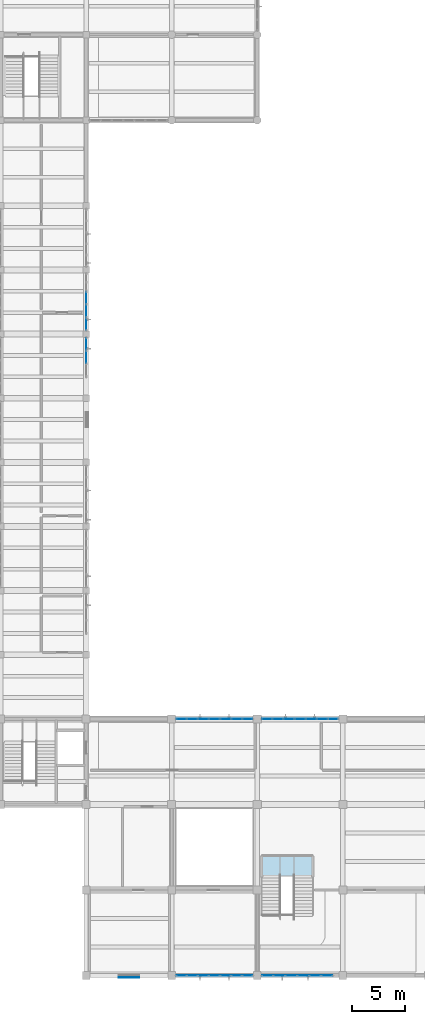
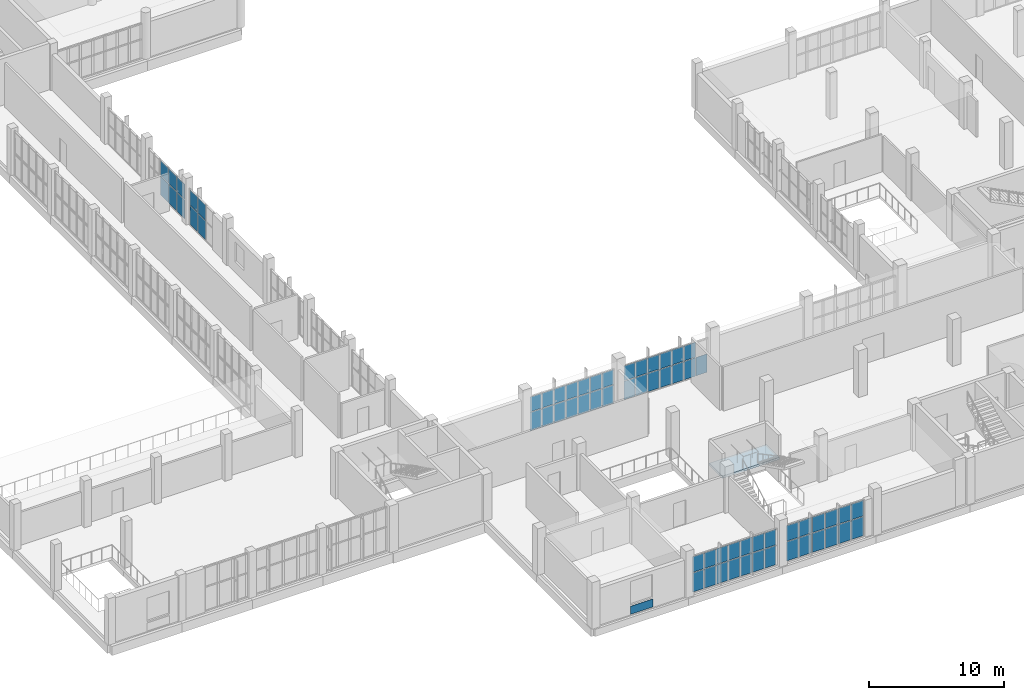
# One storey, part 49 of 85: 64 plates, 1 slab, 7 elements without a shape of their own.
"""IFC4 building model written with IfcOpenShell, lengths in metres."""

from ifc_helpers import new_model, si_unit, direction, frame, origin, origin_2d, place, context, subcontext, project, spatial, polyline, rectangle, outline, extrude, material, layer, layer_set, type_object, element, aggregate, save


model = new_model("IFC4")

# Units and contexts
model_context = context("Model", 3, precision=1e-05, world=origin(), true_north=direction((0.0, 1.0)))
body_context = subcontext(model_context, "Body", "Model", "MODEL_VIEW")
ifc_project = project(units=[si_unit("LENGTHUNIT", "METRE"), si_unit("AREAUNIT", "SQUARE_METRE"), si_unit("VOLUMEUNIT", "CUBIC_METRE"), si_unit("PLANEANGLEUNIT", "RADIAN"), si_unit("MASSUNIT", "GRAM", prefix="KILO")], contexts=[model_context])

# Site, building, storey
site_placement = place(None, origin())
site = spatial("IfcSite", under=ifc_project, at=site_placement, CompositionType="ELEMENT")
building_placement = place(site_placement, origin())
building = spatial("IfcBuilding", under=site, at=building_placement, Name="Solvane Community Centre", CompositionType="ELEMENT")
storey_placement = place(building_placement, frame((0.0, 0.0, 5.39990234375)))
storey = spatial("IfcBuildingStorey", under=building, at=storey_placement, Name="L01", CompositionType="ELEMENT", Elevation=5.39990234375)

# Plate
ifc_material_1 = material(Name="Anodised bronze aluminium AW-6063 T6", Category="aluminium")
ifc_layer_1 = layer(ifc_material_1, 0.02392578125)
ifc_layer_set_1 = layer_set([ifc_layer_1], Name="Anodised bronze aluminium AW-6063 T6")
plate_type_1 = type_object("IfcPlateType", Name="Bronze Spandrel Cassette 24mm", PredefinedType="SHEET", material=ifc_layer_set_1)
plate_1_placement = place(storey_placement, frame((72.0, 5.81298828125, 0.06005859375), z_axis=(0.0, 0.0, 1.0), x_axis=(-1.0, 0.0, 0.0)))
element("IfcPlate", 1, at=plate_1_placement, inside=storey, type_object=plate_type_1, Name="Art Deco Spandrel SPC-L01-024", PredefinedType="SHEET", context=body_context, shape_type="SweptSolid", body=[
    extrude(rectangle(XDim=1.89990234375, YDim=0.02392578125, at=origin_2d()), origin(), (0.0, 0.0, 1.0), 0.719970703125),
])

# Curtain wall, plates
ifc_layer_2 = layer(ifc_material_1, 0.18994140625)
ifc_layer_set_2 = layer_set([ifc_layer_2], Name="Anodised bronze aluminium AW-6063 T6")
curtain_wall_type_1 = type_object("IfcCurtainWallType", Name="Boulevard Bronze Vision Curtain Wall [37x32dm]", PredefinedType="NOTDEFINED", material=ifc_layer_set_2)
curtain_wall_1_placement = place(storey_placement, origin())
curtain_wall_1 = element("IfcCurtainWall", 2, at=curtain_wall_1_placement, inside=storey, type_object=curtain_wall_type_1, Name="Curtain Wall CW-L01-680_700-105", PredefinedType="NOTDEFINED")
ifc_material_2 = material(Name="Tempered low-E double glazing", Category="glass")
ifc_layer_3 = layer(ifc_material_2, 0.028076171875)
ifc_layer_set_3 = layer_set([ifc_layer_3], Name="Tempered low-E double glazing")
plate_type_2 = type_object("IfcPlateType", Name="Low-E Vision Glazing Panel 28mm [37x32dm]", PredefinedType="CURTAIN_PANEL", material=ifc_layer_set_3)
plate_2_placement = place(storey_placement, frame((68.0, 69.37158203125, 0.06005859375), z_axis=(0.0, 0.0, 1.0), x_axis=(0.0, -1.0, 0.0)))
plate_2 = element("IfcPlate", 3, at=plate_2_placement, type_object=plate_type_2, Name="CW02-37x32 panel 1.1", PredefinedType="CURTAIN_PANEL", context=body_context, shape_type="SweptSolid", body=[
    extrude(rectangle(XDim=1.13671875, YDim=0.028076171875, at=origin_2d()), origin(), (0.0, 0.0, 1.0), 1.695068359375),
])
plate_3_placement = place(storey_placement, frame((68.0, 69.37158203125, 1.81494140625), z_axis=(0.0, 0.0, 1.0), x_axis=(0.0, -1.0, 0.0)))
plate_3 = element("IfcPlate", 4, at=plate_3_placement, type_object=plate_type_2, Name="CW02-37x32 panel 1.2", PredefinedType="CURTAIN_PANEL", context=body_context, shape_type="SweptSolid", body=[
    extrude(rectangle(XDim=1.13671875, YDim=0.028076171875, at=origin_2d()), origin(), (0.0, 0.0, 1.0), 1.3701171875),
])
plate_4_placement = place(storey_placement, frame((68.0, 68.159912109375, 0.06005859375), z_axis=(0.0, 0.0, 1.0), x_axis=(0.0, -1.0, 0.0)))
plate_4 = element("IfcPlate", 5, at=plate_4_placement, type_object=plate_type_2, Name="CW02-37x32 panel 2.1", PredefinedType="CURTAIN_PANEL", context=body_context, shape_type="SweptSolid", body=[
    extrude(rectangle(XDim=1.166748046875, YDim=0.028076171875, at=origin_2d()), origin(), (0.0, 0.0, 1.0), 1.695068359375),
])
plate_5_placement = place(storey_placement, frame((68.0, 68.159912109375, 1.81494140625), z_axis=(0.0, 0.0, 1.0), x_axis=(0.0, -1.0, 0.0)))
plate_5 = element("IfcPlate", 6, at=plate_5_placement, type_object=plate_type_2, Name="CW02-37x32 panel 2.2", PredefinedType="CURTAIN_PANEL", context=body_context, shape_type="SweptSolid", body=[
    extrude(rectangle(XDim=1.166748046875, YDim=0.028076171875, at=origin_2d()), origin(), (0.0, 0.0, 1.0), 1.3701171875),
])
plate_6_placement = place(storey_placement, frame((68.0, 66.9482421875, 0.06005859375), z_axis=(0.0, 0.0, 1.0), x_axis=(0.0, -1.0, 0.0)))
plate_6 = element("IfcPlate", 7, at=plate_6_placement, type_object=plate_type_2, Name="CW02-37x32 panel 3.1", PredefinedType="CURTAIN_PANEL", context=body_context, shape_type="SweptSolid", body=[
    extrude(rectangle(XDim=1.13671875, YDim=0.028076171875, at=origin_2d()), origin(), (0.0, 0.0, 1.0), 1.695068359375),
])
plate_7_placement = place(storey_placement, frame((68.0, 66.9482421875, 1.81494140625), z_axis=(0.0, 0.0, 1.0), x_axis=(0.0, -1.0, 0.0)))
plate_7 = element("IfcPlate", 8, at=plate_7_placement, type_object=plate_type_2, Name="CW02-37x32 panel 3.2", PredefinedType="CURTAIN_PANEL", context=body_context, shape_type="SweptSolid", body=[
    extrude(rectangle(XDim=1.13671875, YDim=0.028076171875, at=origin_2d()), origin(), (0.0, 0.0, 1.0), 1.3701171875),
])
aggregate(curtain_wall_1, [plate_2, plate_3, plate_4, plate_5, plate_6, plate_7])

curtain_wall_2_placement = place(storey_placement, origin())
curtain_wall_2 = element("IfcCurtainWall", 9, at=curtain_wall_2_placement, inside=storey, type_object=curtain_wall_type_1, Name="Curtain Wall CW-L01-680_657-106", PredefinedType="NOTDEFINED")
plate_8_placement = place(storey_placement, frame((68.0, 65.0517578125, 0.06005859375), z_axis=(0.0, 0.0, 1.0), x_axis=(0.0, -1.0, 0.0)))
plate_8 = element("IfcPlate", 10, at=plate_8_placement, type_object=plate_type_2, Name="CW02-37x32 panel 1.1", PredefinedType="CURTAIN_PANEL", context=body_context, shape_type="SweptSolid", body=[
    extrude(rectangle(XDim=1.13671875, YDim=0.028076171875, at=origin_2d()), origin(), (0.0, 0.0, 1.0), 1.695068359375),
])
plate_9_placement = place(storey_placement, frame((68.0, 65.0517578125, 1.81494140625), z_axis=(0.0, 0.0, 1.0), x_axis=(0.0, -1.0, 0.0)))
plate_9 = element("IfcPlate", 11, at=plate_9_placement, type_object=plate_type_2, Name="CW02-37x32 panel 1.2", PredefinedType="CURTAIN_PANEL", context=body_context, shape_type="SweptSolid", body=[
    extrude(rectangle(XDim=1.13671875, YDim=0.028076171875, at=origin_2d()), origin(), (0.0, 0.0, 1.0), 1.3701171875),
])
plate_10_placement = place(storey_placement, frame((68.0, 63.840087890625, 0.06005859375), z_axis=(0.0, 0.0, 1.0), x_axis=(0.0, -1.0, 0.0)))
plate_10 = element("IfcPlate", 12, at=plate_10_placement, type_object=plate_type_2, Name="CW02-37x32 panel 2.1", PredefinedType="CURTAIN_PANEL", context=body_context, shape_type="SweptSolid", body=[
    extrude(rectangle(XDim=1.166748046875, YDim=0.028076171875, at=origin_2d()), origin(), (0.0, 0.0, 1.0), 1.695068359375),
])
plate_11_placement = place(storey_placement, frame((68.0, 63.840087890625, 1.81494140625), z_axis=(0.0, 0.0, 1.0), x_axis=(0.0, -1.0, 0.0)))
plate_11 = element("IfcPlate", 13, at=plate_11_placement, type_object=plate_type_2, Name="CW02-37x32 panel 2.2", PredefinedType="CURTAIN_PANEL", context=body_context, shape_type="SweptSolid", body=[
    extrude(rectangle(XDim=1.166748046875, YDim=0.028076171875, at=origin_2d()), origin(), (0.0, 0.0, 1.0), 1.3701171875),
])
aggregate(curtain_wall_2, [plate_8, plate_9, plate_10, plate_11])

ifc_layer_4 = layer(ifc_material_1, 0.18994140625)
ifc_layer_set_4 = layer_set([ifc_layer_4], Name="Anodised bronze aluminium AW-6063 T6")
curtain_wall_type_2 = type_object("IfcCurtainWallType", Name="Boulevard Bronze Vision Curtain Wall [67x33dm]", PredefinedType="NOTDEFINED", material=ifc_layer_set_4)
curtain_wall_3_placement = place(storey_placement, origin())
curtain_wall_3 = element("IfcCurtainWall", 14, at=curtain_wall_3_placement, inside=storey, type_object=curtain_wall_type_2, Name="Curtain Wall CW-L01-911_60-078", PredefinedType="NOTDEFINED")
ifc_layer_5 = layer(ifc_material_2, 0.028076171875)
ifc_layer_set_5 = layer_set([ifc_layer_5], Name="Tempered low-E double glazing")
plate_type_3 = type_object("IfcPlateType", Name="Low-E Vision Glazing Panel 28mm [67x33dm]", PredefinedType="CURTAIN_PANEL", material=ifc_layer_set_5)
plate_12_placement = place(storey_placement, frame((90.505126953125, 6.0, 0.06005859375), z_axis=(0.0, 0.0, 1.0), x_axis=(-1.0, 0.0, 0.0)))
plate_12 = element("IfcPlate", 15, at=plate_12_placement, type_object=plate_type_3, Name="CW02-67x33 panel 1.1", PredefinedType="CURTAIN_PANEL", context=body_context, shape_type="SweptSolid", body=[
    extrude(rectangle(XDim=1.023681640625, YDim=0.028076171875, at=origin_2d()), origin(), (0.0, 0.0, 1.0), 1.73291015625),
])
plate_13_placement = place(storey_placement, frame((90.505126953125, 6.0, 1.85302734375), z_axis=(0.0, 0.0, 1.0), x_axis=(-1.0, 0.0, 0.0)))
plate_13 = element("IfcPlate", 16, at=plate_13_placement, type_object=plate_type_3, Name="CW02-67x33 panel 1.2", PredefinedType="CURTAIN_PANEL", context=body_context, shape_type="SweptSolid", body=[
    extrude(rectangle(XDim=1.023681640625, YDim=0.028076171875, at=origin_2d()), origin(), (0.0, 0.0, 1.0), 1.402099609375),
])
plate_14_placement = place(storey_placement, frame((89.406494140625, 6.0, 0.06005859375), z_axis=(0.0, 0.0, 1.0), x_axis=(-1.0, 0.0, 0.0)))
plate_14 = element("IfcPlate", 17, at=plate_14_placement, type_object=plate_type_3, Name="CW02-67x33 panel 2.1", PredefinedType="CURTAIN_PANEL", context=body_context, shape_type="SweptSolid", body=[
    extrude(rectangle(XDim=1.0537109375, YDim=0.028076171875, at=origin_2d()), origin(), (0.0, 0.0, 1.0), 1.73291015625),
])
plate_15_placement = place(storey_placement, frame((89.406494140625, 6.0, 1.85302734375), z_axis=(0.0, 0.0, 1.0), x_axis=(-1.0, 0.0, 0.0)))
plate_15 = element("IfcPlate", 18, at=plate_15_placement, type_object=plate_type_3, Name="CW02-67x33 panel 2.2", PredefinedType="CURTAIN_PANEL", context=body_context, shape_type="SweptSolid", body=[
    extrude(rectangle(XDim=1.0537109375, YDim=0.028076171875, at=origin_2d()), origin(), (0.0, 0.0, 1.0), 1.402099609375),
])
plate_16_placement = place(storey_placement, frame((88.292724609375, 6.0, 0.06005859375), z_axis=(0.0, 0.0, 1.0), x_axis=(-1.0, 0.0, 0.0)))
plate_16 = element("IfcPlate", 19, at=plate_16_placement, type_object=plate_type_3, Name="CW02-67x33 panel 3.1", PredefinedType="CURTAIN_PANEL", context=body_context, shape_type="SweptSolid", body=[
    extrude(rectangle(XDim=1.0537109375, YDim=0.028076171875, at=origin_2d()), origin(), (0.0, 0.0, 1.0), 1.73291015625),
])
plate_17_placement = place(storey_placement, frame((88.292724609375, 6.0, 1.85302734375), z_axis=(0.0, 0.0, 1.0), x_axis=(-1.0, 0.0, 0.0)))
plate_17 = element("IfcPlate", 20, at=plate_17_placement, type_object=plate_type_3, Name="CW02-67x33 panel 3.2", PredefinedType="CURTAIN_PANEL", context=body_context, shape_type="SweptSolid", body=[
    extrude(rectangle(XDim=1.0537109375, YDim=0.028076171875, at=origin_2d()), origin(), (0.0, 0.0, 1.0), 1.402099609375),
])
plate_18_placement = place(storey_placement, frame((87.17919921875, 6.0, 0.06005859375), z_axis=(0.0, 0.0, 1.0), x_axis=(-1.0, 0.0, 0.0)))
plate_18 = element("IfcPlate", 21, at=plate_18_placement, type_object=plate_type_3, Name="CW02-67x33 panel 4.1", PredefinedType="CURTAIN_PANEL", context=body_context, shape_type="SweptSolid", body=[
    extrude(rectangle(XDim=1.0537109375, YDim=0.028076171875, at=origin_2d()), origin(), (0.0, 0.0, 1.0), 1.73291015625),
])
plate_19_placement = place(storey_placement, frame((87.17919921875, 6.0, 1.85302734375), z_axis=(0.0, 0.0, 1.0), x_axis=(-1.0, 0.0, 0.0)))
plate_19 = element("IfcPlate", 22, at=plate_19_placement, type_object=plate_type_3, Name="CW02-67x33 panel 4.2", PredefinedType="CURTAIN_PANEL", context=body_context, shape_type="SweptSolid", body=[
    extrude(rectangle(XDim=1.0537109375, YDim=0.028076171875, at=origin_2d()), origin(), (0.0, 0.0, 1.0), 1.402099609375),
])
plate_20_placement = place(storey_placement, frame((86.0654296875, 6.0, 0.06005859375), z_axis=(0.0, 0.0, 1.0), x_axis=(-1.0, 0.0, 0.0)))
plate_20 = element("IfcPlate", 23, at=plate_20_placement, type_object=plate_type_3, Name="CW02-67x33 panel 5.1", PredefinedType="CURTAIN_PANEL", context=body_context, shape_type="SweptSolid", body=[
    extrude(rectangle(XDim=1.0537109375, YDim=0.028076171875, at=origin_2d()), origin(), (0.0, 0.0, 1.0), 1.73291015625),
])
plate_21_placement = place(storey_placement, frame((86.0654296875, 6.0, 1.85302734375), z_axis=(0.0, 0.0, 1.0), x_axis=(-1.0, 0.0, 0.0)))
plate_21 = element("IfcPlate", 24, at=plate_21_placement, type_object=plate_type_3, Name="CW02-67x33 panel 5.2", PredefinedType="CURTAIN_PANEL", context=body_context, shape_type="SweptSolid", body=[
    extrude(rectangle(XDim=1.0537109375, YDim=0.028076171875, at=origin_2d()), origin(), (0.0, 0.0, 1.0), 1.402099609375),
])
plate_22_placement = place(storey_placement, frame((84.966796875, 6.0, 0.06005859375), z_axis=(0.0, 0.0, 1.0), x_axis=(-1.0, 0.0, 0.0)))
plate_22 = element("IfcPlate", 25, at=plate_22_placement, type_object=plate_type_3, Name="CW02-67x33 panel 6.1", PredefinedType="CURTAIN_PANEL", context=body_context, shape_type="SweptSolid", body=[
    extrude(rectangle(XDim=1.023681640625, YDim=0.028076171875, at=origin_2d()), origin(), (0.0, 0.0, 1.0), 1.73291015625),
])
plate_23_placement = place(storey_placement, frame((84.966796875, 6.0, 1.85302734375), z_axis=(0.0, 0.0, 1.0), x_axis=(-1.0, 0.0, 0.0)))
plate_23 = element("IfcPlate", 26, at=plate_23_placement, type_object=plate_type_3, Name="CW02-67x33 panel 6.2", PredefinedType="CURTAIN_PANEL", context=body_context, shape_type="SweptSolid", body=[
    extrude(rectangle(XDim=1.023681640625, YDim=0.028076171875, at=origin_2d()), origin(), (0.0, 0.0, 1.0), 1.402099609375),
])
aggregate(curtain_wall_3, [plate_12, plate_13, plate_14, plate_15, plate_16, plate_17, plate_18, plate_19, plate_20, plate_21, plate_22, plate_23])

ifc_layer_6 = layer(ifc_material_1, 0.18994140625)
ifc_layer_set_6 = layer_set([ifc_layer_6], Name="Anodised bronze aluminium AW-6063 T6")
curtain_wall_type_3 = type_object("IfcCurtainWallType", Name="Boulevard Bronze Vision Curtain Wall [72x32dm]", PredefinedType="NOTDEFINED", material=ifc_layer_set_6)
curtain_wall_4_placement = place(storey_placement, origin())
curtain_wall_4 = element("IfcCurtainWall", 27, at=curtain_wall_4_placement, inside=storey, type_object=curtain_wall_type_3, Name="Curtain Wall CW-L01-764_300-111", PredefinedType="NOTDEFINED")
ifc_layer_7 = layer(ifc_material_2, 0.028076171875)
ifc_layer_set_7 = layer_set([ifc_layer_7], Name="Tempered low-E double glazing")
plate_type_4 = type_object("IfcPlateType", Name="Low-E Vision Glazing Panel 28mm [72x32dm]", PredefinedType="CURTAIN_PANEL", material=ifc_layer_set_7)
plate_24_placement = place(storey_placement, frame((76.920654296875, 30.0, 0.06005859375), z_axis=(0.0, 0.0, 1.0), x_axis=(1.0, 0.0, 0.0)))
plate_24 = element("IfcPlate", 28, at=plate_24_placement, type_object=plate_type_4, Name="CW02-72x32 panel 1.1", PredefinedType="CURTAIN_PANEL", context=body_context, shape_type="SweptSolid", body=[
    extrude(rectangle(XDim=0.94140625, YDim=0.028076171875, at=origin_2d()), origin(), (0.0, 0.0, 1.0), 1.65087890625),
])
plate_25_placement = place(storey_placement, frame((76.920654296875, 30.0, 1.77099609375), z_axis=(0.0, 0.0, 1.0), x_axis=(1.0, 0.0, 0.0)))
plate_25 = element("IfcPlate", 29, at=plate_25_placement, type_object=plate_type_4, Name="CW02-72x32 panel 1.2", PredefinedType="CURTAIN_PANEL", context=body_context, shape_type="SweptSolid", body=[
    extrude(rectangle(XDim=0.94140625, YDim=0.028076171875, at=origin_2d()), origin(), (0.0, 0.0, 1.0), 1.333984375),
])
plate_26_placement = place(storey_placement, frame((77.937255859375, 30.0, 0.06005859375), z_axis=(0.0, 0.0, 1.0), x_axis=(1.0, 0.0, 0.0)))
plate_26 = element("IfcPlate", 30, at=plate_26_placement, type_object=plate_type_4, Name="CW02-72x32 panel 2.1", PredefinedType="CURTAIN_PANEL", context=body_context, shape_type="SweptSolid", body=[
    extrude(rectangle(XDim=0.971435546875, YDim=0.028076171875, at=origin_2d()), origin(), (0.0, 0.0, 1.0), 1.65087890625),
])
plate_27_placement = place(storey_placement, frame((77.937255859375, 30.0, 1.77099609375), z_axis=(0.0, 0.0, 1.0), x_axis=(1.0, 0.0, 0.0)))
plate_27 = element("IfcPlate", 31, at=plate_27_placement, type_object=plate_type_4, Name="CW02-72x32 panel 2.2", PredefinedType="CURTAIN_PANEL", context=body_context, shape_type="SweptSolid", body=[
    extrude(rectangle(XDim=0.971435546875, YDim=0.028076171875, at=origin_2d()), origin(), (0.0, 0.0, 1.0), 1.333984375),
])
plate_28_placement = place(storey_placement, frame((78.968505859375, 30.0, 0.06005859375), z_axis=(0.0, 0.0, 1.0), x_axis=(1.0, 0.0, 0.0)))
plate_28 = element("IfcPlate", 32, at=plate_28_placement, type_object=plate_type_4, Name="CW02-72x32 panel 3.1", PredefinedType="CURTAIN_PANEL", context=body_context, shape_type="SweptSolid", body=[
    extrude(rectangle(XDim=0.971435546875, YDim=0.028076171875, at=origin_2d()), origin(), (0.0, 0.0, 1.0), 1.65087890625),
])
plate_29_placement = place(storey_placement, frame((78.968505859375, 30.0, 1.77099609375), z_axis=(0.0, 0.0, 1.0), x_axis=(1.0, 0.0, 0.0)))
plate_29 = element("IfcPlate", 33, at=plate_29_placement, type_object=plate_type_4, Name="CW02-72x32 panel 3.2", PredefinedType="CURTAIN_PANEL", context=body_context, shape_type="SweptSolid", body=[
    extrude(rectangle(XDim=0.971435546875, YDim=0.028076171875, at=origin_2d()), origin(), (0.0, 0.0, 1.0), 1.333984375),
])
plate_30_placement = place(storey_placement, frame((80.0, 30.0, 0.06005859375), z_axis=(0.0, 0.0, 1.0), x_axis=(1.0, 0.0, 0.0)))
plate_30 = element("IfcPlate", 34, at=plate_30_placement, type_object=plate_type_4, Name="CW02-72x32 panel 4.1", PredefinedType="CURTAIN_PANEL", context=body_context, shape_type="SweptSolid", body=[
    extrude(rectangle(XDim=0.971435546875, YDim=0.028076171875, at=origin_2d()), origin(), (0.0, 0.0, 1.0), 1.65087890625),
])
plate_31_placement = place(storey_placement, frame((80.0, 30.0, 1.77099609375), z_axis=(0.0, 0.0, 1.0), x_axis=(1.0, 0.0, 0.0)))
plate_31 = element("IfcPlate", 35, at=plate_31_placement, type_object=plate_type_4, Name="CW02-72x32 panel 4.2", PredefinedType="CURTAIN_PANEL", context=body_context, shape_type="SweptSolid", body=[
    extrude(rectangle(XDim=0.971435546875, YDim=0.028076171875, at=origin_2d()), origin(), (0.0, 0.0, 1.0), 1.333984375),
])
plate_32_placement = place(storey_placement, frame((81.031494140625, 30.0, 0.06005859375), z_axis=(0.0, 0.0, 1.0), x_axis=(1.0, 0.0, 0.0)))
plate_32 = element("IfcPlate", 36, at=plate_32_placement, type_object=plate_type_4, Name="CW02-72x32 panel 5.1", PredefinedType="CURTAIN_PANEL", context=body_context, shape_type="SweptSolid", body=[
    extrude(rectangle(XDim=0.971435546875, YDim=0.028076171875, at=origin_2d()), origin(), (0.0, 0.0, 1.0), 1.65087890625),
])
plate_33_placement = place(storey_placement, frame((81.031494140625, 30.0, 1.77099609375), z_axis=(0.0, 0.0, 1.0), x_axis=(1.0, 0.0, 0.0)))
plate_33 = element("IfcPlate", 37, at=plate_33_placement, type_object=plate_type_4, Name="CW02-72x32 panel 5.2", PredefinedType="CURTAIN_PANEL", context=body_context, shape_type="SweptSolid", body=[
    extrude(rectangle(XDim=0.971435546875, YDim=0.028076171875, at=origin_2d()), origin(), (0.0, 0.0, 1.0), 1.333984375),
])
plate_34_placement = place(storey_placement, frame((82.062744140625, 30.0, 0.06005859375), z_axis=(0.0, 0.0, 1.0), x_axis=(1.0, 0.0, 0.0)))
plate_34 = element("IfcPlate", 38, at=plate_34_placement, type_object=plate_type_4, Name="CW02-72x32 panel 6.1", PredefinedType="CURTAIN_PANEL", context=body_context, shape_type="SweptSolid", body=[
    extrude(rectangle(XDim=0.971435546875, YDim=0.028076171875, at=origin_2d()), origin(), (0.0, 0.0, 1.0), 1.65087890625),
])
plate_35_placement = place(storey_placement, frame((82.062744140625, 30.0, 1.77099609375), z_axis=(0.0, 0.0, 1.0), x_axis=(1.0, 0.0, 0.0)))
plate_35 = element("IfcPlate", 39, at=plate_35_placement, type_object=plate_type_4, Name="CW02-72x32 panel 6.2", PredefinedType="CURTAIN_PANEL", context=body_context, shape_type="SweptSolid", body=[
    extrude(rectangle(XDim=0.971435546875, YDim=0.028076171875, at=origin_2d()), origin(), (0.0, 0.0, 1.0), 1.333984375),
])
plate_36_placement = place(storey_placement, frame((83.079345703125, 30.0, 0.06005859375), z_axis=(0.0, 0.0, 1.0), x_axis=(1.0, 0.0, 0.0)))
plate_36 = element("IfcPlate", 40, at=plate_36_placement, type_object=plate_type_4, Name="CW02-72x32 panel 7.1", PredefinedType="CURTAIN_PANEL", context=body_context, shape_type="SweptSolid", body=[
    extrude(rectangle(XDim=0.94140625, YDim=0.028076171875, at=origin_2d()), origin(), (0.0, 0.0, 1.0), 1.65087890625),
])
plate_37_placement = place(storey_placement, frame((83.079345703125, 30.0, 1.77099609375), z_axis=(0.0, 0.0, 1.0), x_axis=(1.0, 0.0, 0.0)))
plate_37 = element("IfcPlate", 41, at=plate_37_placement, type_object=plate_type_4, Name="CW02-72x32 panel 7.2", PredefinedType="CURTAIN_PANEL", context=body_context, shape_type="SweptSolid", body=[
    extrude(rectangle(XDim=0.94140625, YDim=0.028076171875, at=origin_2d()), origin(), (0.0, 0.0, 1.0), 1.333984375),
])
aggregate(curtain_wall_4, [plate_24, plate_25, plate_26, plate_27, plate_28, plate_29, plate_30, plate_31, plate_32, plate_33, plate_34, plate_35, plate_36, plate_37])

curtain_wall_5_placement = place(storey_placement, origin())
curtain_wall_5 = element("IfcCurtainWall", 42, at=curtain_wall_5_placement, inside=storey, type_object=curtain_wall_type_3, Name="Curtain Wall CW-L01-844_300-112", PredefinedType="NOTDEFINED")
plate_38_placement = place(storey_placement, frame((84.920654296875, 30.0, 0.06005859375), z_axis=(0.0, 0.0, 1.0), x_axis=(1.0, 0.0, 0.0)))
plate_38 = element("IfcPlate", 43, at=plate_38_placement, type_object=plate_type_4, Name="CW02-72x32 panel 1.1", PredefinedType="CURTAIN_PANEL", context=body_context, shape_type="SweptSolid", body=[
    extrude(rectangle(XDim=0.94140625, YDim=0.028076171875, at=origin_2d()), origin(), (0.0, 0.0, 1.0), 1.65087890625),
])
plate_39_placement = place(storey_placement, frame((84.920654296875, 30.0, 1.77099609375), z_axis=(0.0, 0.0, 1.0), x_axis=(1.0, 0.0, 0.0)))
plate_39 = element("IfcPlate", 44, at=plate_39_placement, type_object=plate_type_4, Name="CW02-72x32 panel 1.2", PredefinedType="CURTAIN_PANEL", context=body_context, shape_type="SweptSolid", body=[
    extrude(rectangle(XDim=0.94140625, YDim=0.028076171875, at=origin_2d()), origin(), (0.0, 0.0, 1.0), 1.333984375),
])
plate_40_placement = place(storey_placement, frame((85.937255859375, 30.0, 0.06005859375), z_axis=(0.0, 0.0, 1.0), x_axis=(1.0, 0.0, 0.0)))
plate_40 = element("IfcPlate", 45, at=plate_40_placement, type_object=plate_type_4, Name="CW02-72x32 panel 2.1", PredefinedType="CURTAIN_PANEL", context=body_context, shape_type="SweptSolid", body=[
    extrude(rectangle(XDim=0.971435546875, YDim=0.028076171875, at=origin_2d()), origin(), (0.0, 0.0, 1.0), 1.65087890625),
])
plate_41_placement = place(storey_placement, frame((85.937255859375, 30.0, 1.77099609375), z_axis=(0.0, 0.0, 1.0), x_axis=(1.0, 0.0, 0.0)))
plate_41 = element("IfcPlate", 46, at=plate_41_placement, type_object=plate_type_4, Name="CW02-72x32 panel 2.2", PredefinedType="CURTAIN_PANEL", context=body_context, shape_type="SweptSolid", body=[
    extrude(rectangle(XDim=0.971435546875, YDim=0.028076171875, at=origin_2d()), origin(), (0.0, 0.0, 1.0), 1.333984375),
])
plate_42_placement = place(storey_placement, frame((86.968505859375, 30.0, 0.06005859375), z_axis=(0.0, 0.0, 1.0), x_axis=(1.0, 0.0, 0.0)))
plate_42 = element("IfcPlate", 47, at=plate_42_placement, type_object=plate_type_4, Name="CW02-72x32 panel 3.1", PredefinedType="CURTAIN_PANEL", context=body_context, shape_type="SweptSolid", body=[
    extrude(rectangle(XDim=0.971435546875, YDim=0.028076171875, at=origin_2d()), origin(), (0.0, 0.0, 1.0), 1.65087890625),
])
plate_43_placement = place(storey_placement, frame((86.968505859375, 30.0, 1.77099609375), z_axis=(0.0, 0.0, 1.0), x_axis=(1.0, 0.0, 0.0)))
plate_43 = element("IfcPlate", 48, at=plate_43_placement, type_object=plate_type_4, Name="CW02-72x32 panel 3.2", PredefinedType="CURTAIN_PANEL", context=body_context, shape_type="SweptSolid", body=[
    extrude(rectangle(XDim=0.971435546875, YDim=0.028076171875, at=origin_2d()), origin(), (0.0, 0.0, 1.0), 1.333984375),
])
plate_44_placement = place(storey_placement, frame((88.0, 30.0, 0.06005859375), z_axis=(0.0, 0.0, 1.0), x_axis=(1.0, 0.0, 0.0)))
plate_44 = element("IfcPlate", 49, at=plate_44_placement, type_object=plate_type_4, Name="CW02-72x32 panel 4.1", PredefinedType="CURTAIN_PANEL", context=body_context, shape_type="SweptSolid", body=[
    extrude(rectangle(XDim=0.971435546875, YDim=0.028076171875, at=origin_2d()), origin(), (0.0, 0.0, 1.0), 1.65087890625),
])
plate_45_placement = place(storey_placement, frame((88.0, 30.0, 1.77099609375), z_axis=(0.0, 0.0, 1.0), x_axis=(1.0, 0.0, 0.0)))
plate_45 = element("IfcPlate", 50, at=plate_45_placement, type_object=plate_type_4, Name="CW02-72x32 panel 4.2", PredefinedType="CURTAIN_PANEL", context=body_context, shape_type="SweptSolid", body=[
    extrude(rectangle(XDim=0.971435546875, YDim=0.028076171875, at=origin_2d()), origin(), (0.0, 0.0, 1.0), 1.333984375),
])
plate_46_placement = place(storey_placement, frame((89.031494140625, 30.0, 0.06005859375), z_axis=(0.0, 0.0, 1.0), x_axis=(1.0, 0.0, 0.0)))
plate_46 = element("IfcPlate", 51, at=plate_46_placement, type_object=plate_type_4, Name="CW02-72x32 panel 5.1", PredefinedType="CURTAIN_PANEL", context=body_context, shape_type="SweptSolid", body=[
    extrude(rectangle(XDim=0.971435546875, YDim=0.028076171875, at=origin_2d()), origin(), (0.0, 0.0, 1.0), 1.65087890625),
])
plate_47_placement = place(storey_placement, frame((89.031494140625, 30.0, 1.77099609375), z_axis=(0.0, 0.0, 1.0), x_axis=(1.0, 0.0, 0.0)))
plate_47 = element("IfcPlate", 52, at=plate_47_placement, type_object=plate_type_4, Name="CW02-72x32 panel 5.2", PredefinedType="CURTAIN_PANEL", context=body_context, shape_type="SweptSolid", body=[
    extrude(rectangle(XDim=0.971435546875, YDim=0.028076171875, at=origin_2d()), origin(), (0.0, 0.0, 1.0), 1.333984375),
])
plate_48_placement = place(storey_placement, frame((90.062744140625, 30.0, 0.06005859375), z_axis=(0.0, 0.0, 1.0), x_axis=(1.0, 0.0, 0.0)))
plate_48 = element("IfcPlate", 53, at=plate_48_placement, type_object=plate_type_4, Name="CW02-72x32 panel 6.1", PredefinedType="CURTAIN_PANEL", context=body_context, shape_type="SweptSolid", body=[
    extrude(rectangle(XDim=0.971435546875, YDim=0.028076171875, at=origin_2d()), origin(), (0.0, 0.0, 1.0), 1.65087890625),
])
plate_49_placement = place(storey_placement, frame((90.062744140625, 30.0, 1.77099609375), z_axis=(0.0, 0.0, 1.0), x_axis=(1.0, 0.0, 0.0)))
plate_49 = element("IfcPlate", 54, at=plate_49_placement, type_object=plate_type_4, Name="CW02-72x32 panel 6.2", PredefinedType="CURTAIN_PANEL", context=body_context, shape_type="SweptSolid", body=[
    extrude(rectangle(XDim=0.971435546875, YDim=0.028076171875, at=origin_2d()), origin(), (0.0, 0.0, 1.0), 1.333984375),
])
plate_50_placement = place(storey_placement, frame((91.079345703125, 30.0, 0.06005859375), z_axis=(0.0, 0.0, 1.0), x_axis=(1.0, 0.0, 0.0)))
plate_50 = element("IfcPlate", 55, at=plate_50_placement, type_object=plate_type_4, Name="CW02-72x32 panel 7.1", PredefinedType="CURTAIN_PANEL", context=body_context, shape_type="SweptSolid", body=[
    extrude(rectangle(XDim=0.94140625, YDim=0.028076171875, at=origin_2d()), origin(), (0.0, 0.0, 1.0), 1.65087890625),
])
aggregate(curtain_wall_5, [plate_38, plate_39, plate_40, plate_41, plate_42, plate_43, plate_44, plate_45, plate_46, plate_47, plate_48, plate_49, plate_50])

ifc_layer_8 = layer(ifc_material_1, 0.18994140625)
ifc_layer_set_8 = layer_set([ifc_layer_8], Name="Anodised bronze aluminium AW-6063 T6")
curtain_wall_type_4 = type_object("IfcCurtainWallType", Name="Boulevard Bronze Vision Curtain Wall [72x33dm]", PredefinedType="NOTDEFINED", material=ifc_layer_set_8)
curtain_wall_6_placement = place(storey_placement, origin())
curtain_wall_6 = element("IfcCurtainWall", 56, at=curtain_wall_6_placement, inside=storey, type_object=curtain_wall_type_4, Name="Curtain Wall CW-L01-836_60-079", PredefinedType="NOTDEFINED")
ifc_layer_9 = layer(ifc_material_2, 0.028076171875)
ifc_layer_set_9 = layer_set([ifc_layer_9], Name="Tempered low-E double glazing")
plate_type_5 = type_object("IfcPlateType", Name="Low-E Vision Glazing Panel 28mm [72x33dm]", PredefinedType="CURTAIN_PANEL", material=ifc_layer_set_9)
plate_51_placement = place(storey_placement, frame((83.074951171875, 6.0, 0.06005859375), z_axis=(0.0, 0.0, 1.0), x_axis=(-1.0, 0.0, 0.0)))
plate_51 = element("IfcPlate", 57, at=plate_51_placement, type_object=plate_type_5, Name="CW02-72x33 panel 1.1", PredefinedType="CURTAIN_PANEL", context=body_context, shape_type="SweptSolid", body=[
    extrude(rectangle(XDim=0.93994140625, YDim=0.028076171875, at=origin_2d()), origin(), (0.0, 0.0, 1.0), 1.73291015625),
])
plate_52_placement = place(storey_placement, frame((83.074951171875, 6.0, 1.85302734375), z_axis=(0.0, 0.0, 1.0), x_axis=(-1.0, 0.0, 0.0)))
plate_52 = element("IfcPlate", 58, at=plate_52_placement, type_object=plate_type_5, Name="CW02-72x33 panel 1.2", PredefinedType="CURTAIN_PANEL", context=body_context, shape_type="SweptSolid", body=[
    extrude(rectangle(XDim=0.93994140625, YDim=0.028076171875, at=origin_2d()), origin(), (0.0, 0.0, 1.0), 1.402099609375),
])
plate_53_placement = place(storey_placement, frame((82.06005859375, 6.0, 0.06005859375), z_axis=(0.0, 0.0, 1.0), x_axis=(-1.0, 0.0, 0.0)))
plate_53 = element("IfcPlate", 59, at=plate_53_placement, type_object=plate_type_5, Name="CW02-72x33 panel 2.1", PredefinedType="CURTAIN_PANEL", context=body_context, shape_type="SweptSolid", body=[
    extrude(rectangle(XDim=0.969970703125, YDim=0.028076171875, at=origin_2d()), origin(), (0.0, 0.0, 1.0), 1.73291015625),
])
plate_54_placement = place(storey_placement, frame((82.06005859375, 6.0, 1.85302734375), z_axis=(0.0, 0.0, 1.0), x_axis=(-1.0, 0.0, 0.0)))
plate_54 = element("IfcPlate", 60, at=plate_54_placement, type_object=plate_type_5, Name="CW02-72x33 panel 2.2", PredefinedType="CURTAIN_PANEL", context=body_context, shape_type="SweptSolid", body=[
    extrude(rectangle(XDim=0.969970703125, YDim=0.028076171875, at=origin_2d()), origin(), (0.0, 0.0, 1.0), 1.402099609375),
])
plate_55_placement = place(storey_placement, frame((81.030029296875, 6.0, 0.06005859375), z_axis=(0.0, 0.0, 1.0), x_axis=(-1.0, 0.0, 0.0)))
plate_55 = element("IfcPlate", 61, at=plate_55_placement, type_object=plate_type_5, Name="CW02-72x33 panel 3.1", PredefinedType="CURTAIN_PANEL", context=body_context, shape_type="SweptSolid", body=[
    extrude(rectangle(XDim=0.969970703125, YDim=0.028076171875, at=origin_2d()), origin(), (0.0, 0.0, 1.0), 1.73291015625),
])
plate_56_placement = place(storey_placement, frame((81.030029296875, 6.0, 1.85302734375), z_axis=(0.0, 0.0, 1.0), x_axis=(-1.0, 0.0, 0.0)))
plate_56 = element("IfcPlate", 62, at=plate_56_placement, type_object=plate_type_5, Name="CW02-72x33 panel 3.2", PredefinedType="CURTAIN_PANEL", context=body_context, shape_type="SweptSolid", body=[
    extrude(rectangle(XDim=0.969970703125, YDim=0.028076171875, at=origin_2d()), origin(), (0.0, 0.0, 1.0), 1.402099609375),
])
plate_57_placement = place(storey_placement, frame((80.0, 6.0, 0.06005859375), z_axis=(0.0, 0.0, 1.0), x_axis=(-1.0, 0.0, 0.0)))
plate_57 = element("IfcPlate", 63, at=plate_57_placement, type_object=plate_type_5, Name="CW02-72x33 panel 4.1", PredefinedType="CURTAIN_PANEL", context=body_context, shape_type="SweptSolid", body=[
    extrude(rectangle(XDim=0.969970703125, YDim=0.028076171875, at=origin_2d()), origin(), (0.0, 0.0, 1.0), 1.73291015625),
])
plate_58_placement = place(storey_placement, frame((80.0, 6.0, 1.85302734375), z_axis=(0.0, 0.0, 1.0), x_axis=(-1.0, 0.0, 0.0)))
plate_58 = element("IfcPlate", 64, at=plate_58_placement, type_object=plate_type_5, Name="CW02-72x33 panel 4.2", PredefinedType="CURTAIN_PANEL", context=body_context, shape_type="SweptSolid", body=[
    extrude(rectangle(XDim=0.969970703125, YDim=0.028076171875, at=origin_2d()), origin(), (0.0, 0.0, 1.0), 1.402099609375),
])
plate_59_placement = place(storey_placement, frame((78.969970703125, 6.0, 0.06005859375), z_axis=(0.0, 0.0, 1.0), x_axis=(-1.0, 0.0, 0.0)))
plate_59 = element("IfcPlate", 65, at=plate_59_placement, type_object=plate_type_5, Name="CW02-72x33 panel 5.1", PredefinedType="CURTAIN_PANEL", context=body_context, shape_type="SweptSolid", body=[
    extrude(rectangle(XDim=0.969970703125, YDim=0.028076171875, at=origin_2d()), origin(), (0.0, 0.0, 1.0), 1.73291015625),
])
plate_60_placement = place(storey_placement, frame((78.969970703125, 6.0, 1.85302734375), z_axis=(0.0, 0.0, 1.0), x_axis=(-1.0, 0.0, 0.0)))
plate_60 = element("IfcPlate", 66, at=plate_60_placement, type_object=plate_type_5, Name="CW02-72x33 panel 5.2", PredefinedType="CURTAIN_PANEL", context=body_context, shape_type="SweptSolid", body=[
    extrude(rectangle(XDim=0.969970703125, YDim=0.028076171875, at=origin_2d()), origin(), (0.0, 0.0, 1.0), 1.402099609375),
])
plate_61_placement = place(storey_placement, frame((77.93994140625, 6.0, 0.06005859375), z_axis=(0.0, 0.0, 1.0), x_axis=(-1.0, 0.0, 0.0)))
plate_61 = element("IfcPlate", 67, at=plate_61_placement, type_object=plate_type_5, Name="CW02-72x33 panel 6.1", PredefinedType="CURTAIN_PANEL", context=body_context, shape_type="SweptSolid", body=[
    extrude(rectangle(XDim=0.969970703125, YDim=0.028076171875, at=origin_2d()), origin(), (0.0, 0.0, 1.0), 1.73291015625),
])
plate_62_placement = place(storey_placement, frame((77.93994140625, 6.0, 1.85302734375), z_axis=(0.0, 0.0, 1.0), x_axis=(-1.0, 0.0, 0.0)))
plate_62 = element("IfcPlate", 68, at=plate_62_placement, type_object=plate_type_5, Name="CW02-72x33 panel 6.2", PredefinedType="CURTAIN_PANEL", context=body_context, shape_type="SweptSolid", body=[
    extrude(rectangle(XDim=0.969970703125, YDim=0.028076171875, at=origin_2d()), origin(), (0.0, 0.0, 1.0), 1.402099609375),
])
plate_63_placement = place(storey_placement, frame((76.925048828125, 6.0, 0.06005859375), z_axis=(0.0, 0.0, 1.0), x_axis=(-1.0, 0.0, 0.0)))
plate_63 = element("IfcPlate", 69, at=plate_63_placement, type_object=plate_type_5, Name="CW02-72x33 panel 7.1", PredefinedType="CURTAIN_PANEL", context=body_context, shape_type="SweptSolid", body=[
    extrude(rectangle(XDim=0.93994140625, YDim=0.028076171875, at=origin_2d()), origin(), (0.0, 0.0, 1.0), 1.73291015625),
])
plate_64_placement = place(storey_placement, frame((76.925048828125, 6.0, 1.85302734375), z_axis=(0.0, 0.0, 1.0), x_axis=(-1.0, 0.0, 0.0)))
plate_64 = element("IfcPlate", 70, at=plate_64_placement, type_object=plate_type_5, Name="CW02-72x33 panel 7.2", PredefinedType="CURTAIN_PANEL", context=body_context, shape_type="SweptSolid", body=[
    extrude(rectangle(XDim=0.93994140625, YDim=0.028076171875, at=origin_2d()), origin(), (0.0, 0.0, 1.0), 1.402099609375),
])
aggregate(curtain_wall_6, [plate_51, plate_52, plate_53, plate_54, plate_55, plate_56, plate_57, plate_58, plate_59, plate_60, plate_61, plate_62, plate_63, plate_64])

# Stair, slab
ifc_material_3 = material(Name="Concrete C35/45", Category="concrete")
stair_type = type_object("IfcStairType", Name="RC Two-Flight Escape Stair 1720mm", PredefinedType="TWO_STRAIGHT_RUN_STAIR", material=ifc_material_3)
stair_placement = place(storey_placement, origin())
stair = element("IfcStair", 71, at=stair_placement, inside=storey, type_object=stair_type, Name="Stair STR-LIB-L01", PredefinedType="TWO_STRAIGHT_RUN_STAIR")
ifc_layer_10 = layer(ifc_material_3, 0.199951171875)
ifc_layer_set_10 = layer_set([ifc_layer_10], Name="Concrete C35/45")
slab_type = type_object("IfcSlabType", Name="RC Stair Half-Landing Slab 200mm", PredefinedType="LANDING", material=ifc_layer_set_10)
slab_placement = place(storey_placement, frame((0.0, 0.0, 1.900146484375)))
slab = element("IfcSlab", 72, at=slab_placement, type_object=slab_type, Name="ST-09 landing 1", PredefinedType="LANDING", context=body_context, shape_type="SweptSolid", body=[
    extrude(outline(polyline([(84.360107421875, 15.300048828125), (89.239990234375, 15.300048828125), (89.239990234375, 17.239990234375), (84.360107421875, 17.239990234375), (84.360107421875, 15.300048828125)])), origin(), (0.0, 0.0, 1.0), 0.199951171875),
])
aggregate(stair, [slab])

save(model, "model.ifc")
